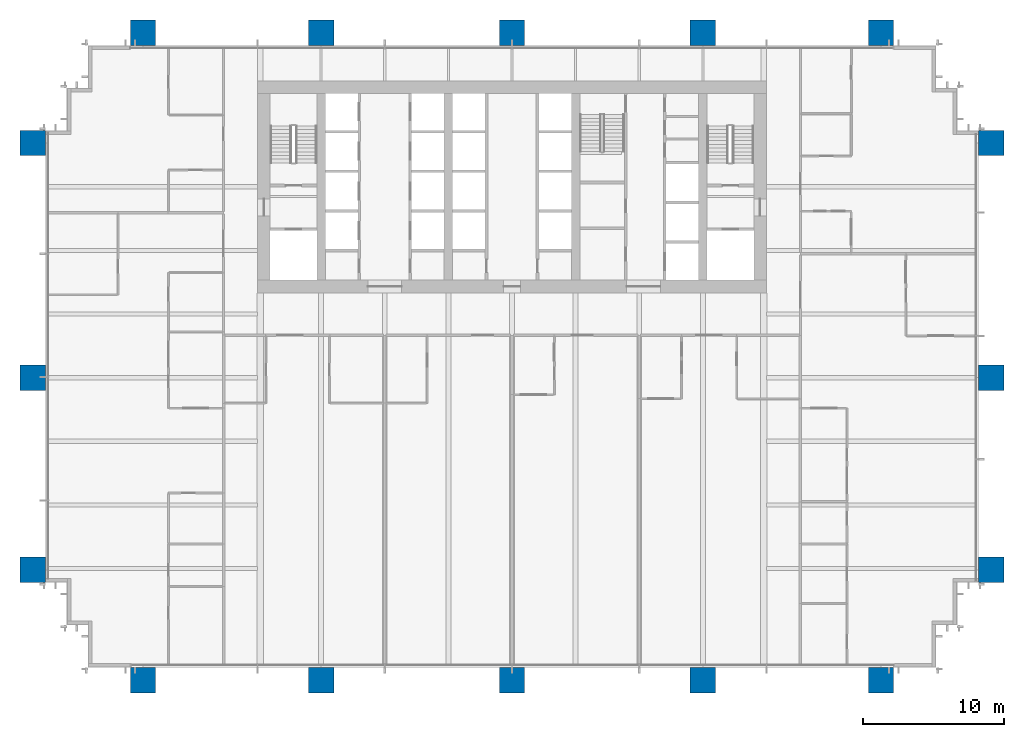
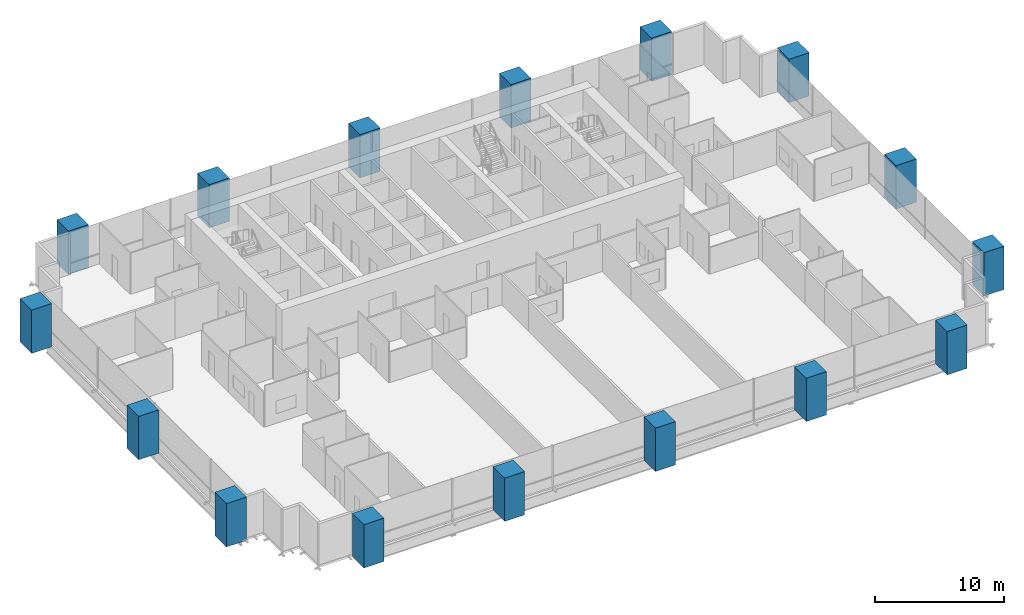
# One storey, part 1 of 18: 16 columns.
"""IFC4 building model written with IfcOpenShell, lengths in metres."""

from ifc_helpers import new_model, si_unit, direction, frame, origin, origin_2d, place, context, subcontext, project, spatial, rectangle, extrude, material, material_profile, profile_set, type_object, element, save


model = new_model("IFC4")

# Units and contexts
model_context = context("Model", 3, precision=1e-05, world=origin(), true_north=direction((0.0, 1.0)))
body_context = subcontext(model_context, "Body", "Model", "MODEL_VIEW")
ifc_project = project(units=[si_unit("LENGTHUNIT", "METRE"), si_unit("AREAUNIT", "SQUARE_METRE"), si_unit("VOLUMEUNIT", "CUBIC_METRE"), si_unit("PLANEANGLEUNIT", "RADIAN"), si_unit("MASSUNIT", "GRAM", prefix="KILO")], contexts=[model_context])

# Site, building, storey
site_placement = place(None, origin())
site = spatial("IfcSite", under=ifc_project, at=site_placement, CompositionType="ELEMENT")
building_placement = place(site_placement, origin())
building = spatial("IfcBuilding", under=site, at=building_placement, Name="Rattan Terrace Tower", CompositionType="ELEMENT")
storey_placement = place(building_placement, frame((0.0, 0.0, 36.5)))
storey = spatial("IfcBuildingStorey", under=building, at=storey_placement, Name="L07", CompositionType="ELEMENT", Elevation=36.5)

# Columns
ifc_material = material(Name="Concrete C60/75", Category="concrete")
ifc_material_profile = material_profile(ifc_material, rectangle(XDim=1.800048828125, YDim=1.800048828125, at=origin_2d()), Name="CFT 1800x1800")
ifc_profile_set = profile_set([ifc_material_profile], Name="Concrete C60/75")
column_type = type_object("IfcColumnType", Name="Frame exoskeleton column CFT 1800x1800", PredefinedType="COLUMN", material=ifc_profile_set)
for number, where, z_axis, x_axis, name in (
    (1, (-26.10009765625, -34.89990234375, -0.199951171875), (0.0, 0.0, 1.0), (1.0, 0.0, 0.0), "exo-L07-001"),
    (2, (-13.5, -34.89990234375, -0.199951171875), (0.0, 0.0, 1.0), (1.0, 0.0, 0.0), "exo-L07-002"),
    (3, (0.0, -34.89990234375, -0.199951171875), (0.0, 0.0, 1.0), (1.0, 0.0, 0.0), "exo-L07-003"),
    (4, (13.5, -34.89990234375, -0.199951171875), (0.0, 0.0, 1.0), (1.0, 0.0, 0.0), "exo-L07-004"),
    (5, (26.10009765625, -34.89990234375, -0.199951171875), (0.0, 0.0, 1.0), (1.0, 0.0, 0.0), "exo-L07-005"),
    (6, (-33.89990234375, -27.10009765625, -0.199951171875), (0.0, 0.0, 1.0), (0.0, 1.0, 0.0), "exo-L07-006"),
    (7, (33.89990234375, -27.10009765625, -0.199951171875), (0.0, 0.0, 1.0), (0.0, 1.0, 0.0), "exo-L07-007"),
    (8, (-33.89990234375, -13.5, -0.199951171875), (0.0, 0.0, 1.0), (0.0, 1.0, 0.0), "exo-L07-008"),
    (9, (33.89990234375, -13.5, -0.199951171875), (0.0, 0.0, 1.0), (0.0, 1.0, 0.0), "exo-L07-009"),
    (10, (-33.89990234375, 3.10009765625, -0.199951171875), (0.0, 0.0, 1.0), (0.0, 1.0, 0.0), "exo-L07-010"),
    (11, (33.89990234375, 3.10009765625, -0.199951171875), (0.0, 0.0, 1.0), (0.0, 1.0, 0.0), "exo-L07-011"),
    (12, (-26.10009765625, 10.89990234375, -0.199951171875), (0.0, 0.0, 1.0), (1.0, 0.0, 0.0), "exo-L07-012"),
    (13, (-13.5, 10.89990234375, -0.199951171875), (0.0, 0.0, 1.0), (1.0, 0.0, 0.0), "exo-L07-013"),
    (14, (0.0, 10.89990234375, -0.199951171875), (0.0, 0.0, 1.0), (1.0, 0.0, 0.0), "exo-L07-014"),
    (15, (13.5, 10.89990234375, -0.199951171875), (0.0, 0.0, 1.0), (1.0, 0.0, 0.0), "exo-L07-015"),
    (16, (26.10009765625, 10.89990234375, -0.199951171875), (0.0, 0.0, 1.0), (1.0, 0.0, 0.0), "exo-L07-016"),
):
    element("IfcColumn", number, at=place(storey_placement, frame(where, z_axis=z_axis, x_axis=x_axis)), inside=storey, type_object=column_type, Name=name, PredefinedType="COLUMN", context=body_context, shape_type="SweptSolid", body=[
        extrude(rectangle(XDim=1.800048828125, YDim=1.800048828125, at=origin_2d()), origin(), (0.0, 0.0, 1.0), 4.099853515625),
    ])

save(model, "model.ifc")
